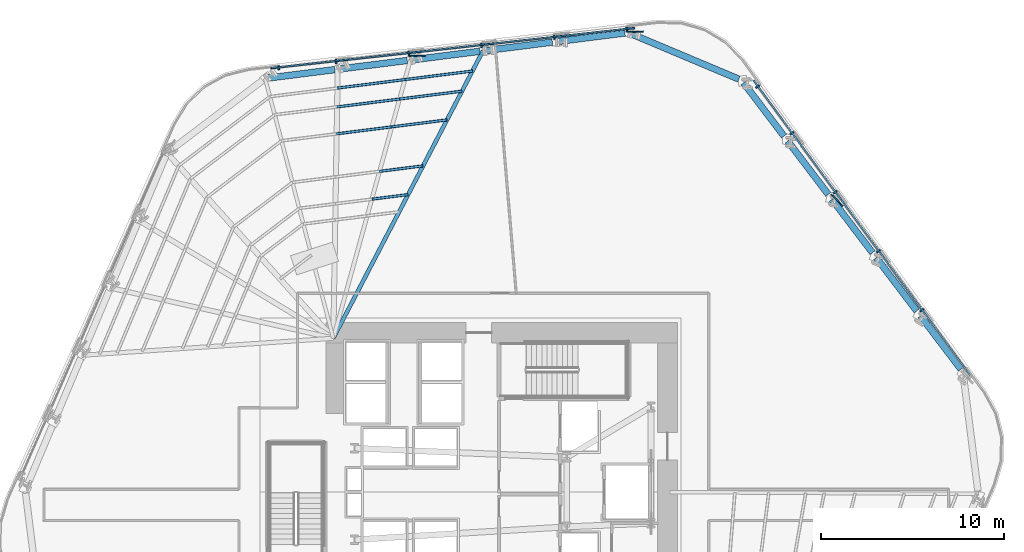
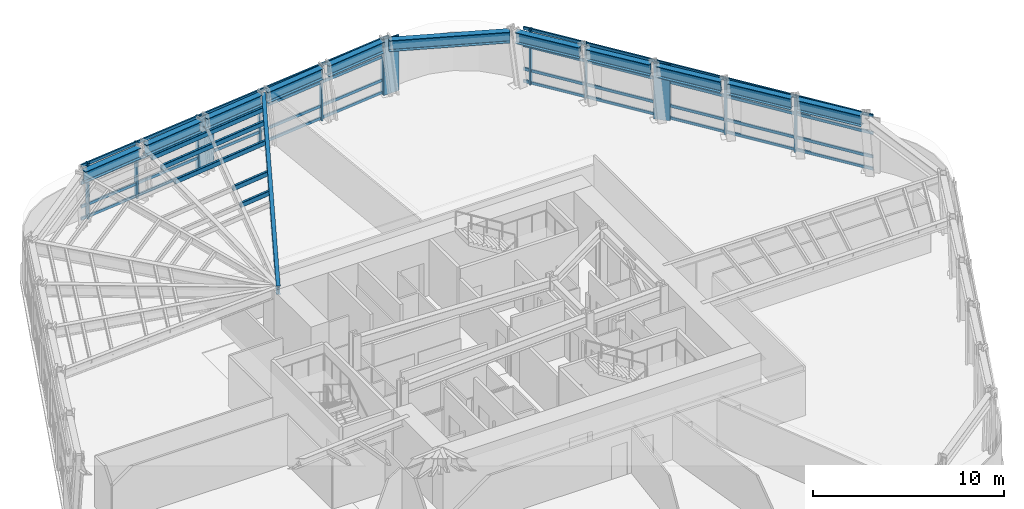
# One storey, part 6 of 16: 30 members, 12 beams, 2 elements without a shape of their own.
"""IFC4 building model written with IfcOpenShell, lengths in metres."""

import ifcopenshell
import ifcopenshell.guid

model = None  # the IFC model being written
_history = None  # IfcOwnerHistory: only IFC2X3 demands one
_inside = {}  # id of a spatial element -> (the spatial element, [elements in it])
_under = {}  # id of a project, library or spatial element -> (it, [spatial elements below it])
_declared = {}  # id of a project -> (the project, [libraries it declares])
_typed = {}  # id of a type object -> (the type object, [elements of that type])
_made_of = {}  # id of a material, layer set ... -> (it, [elements and type objects made of it])


def new_model(schema):
    """Start an empty IFC model of exactly this schema.

    Asked for "IFC4X3", IfcOpenShell would pick the latest addendum, in which some entities
    have other attributes; the version numbers below select the first issue.
    IFC2X3 requires an IfcOwnerHistory on every rooted entity: one is made here for all.
    """
    global model, _history
    if schema == "IFC4X3":
        model = ifcopenshell.file(schema_version=(4, 3, 0, 0))
    else:
        model = ifcopenshell.file(schema=schema)
    _inside.clear()
    _under.clear()
    _declared.clear()
    _typed.clear()
    _made_of.clear()
    _history = None
    if model.schema == "IFC2X3":
        org = make("IfcOrganization", Name="unknown")
        user = make(
            "IfcPersonAndOrganization",
            ThePerson=make("IfcPerson", FamilyName="unknown"),
            TheOrganization=org,
        )
        app = make(
            "IfcApplication",
            ApplicationDeveloper=org,
            Version="unknown",
            ApplicationFullName="unknown",
            ApplicationIdentifier="unknown",
        )
        _history = make(
            "IfcOwnerHistory",
            OwningUser=user,
            OwningApplication=app,
            ChangeAction="ADDED",
            CreationDate=0,
        )
    return model


def make(cls, **values):
    """One entity of the class cls with the attributes given. An attribute that is None is left unset."""
    return model.create_entity(
        cls, **{name: value for name, value in values.items() if value is not None}
    )


def rooted(cls, **values):
    """An entity with a GlobalId (a new one), such as an element, a storey or a relation."""
    return make(cls, GlobalId=ifcopenshell.guid.new(), OwnerHistory=_history, **values)


def si_unit(unit_type, name, prefix=None):
    """IfcSIUnit, for example si_unit("LENGTHUNIT", "METRE", prefix="MILLI")."""
    return make("IfcSIUnit", UnitType=unit_type, Prefix=prefix, Name=name)


def assignment(units):
    """IfcUnitAssignment: the units of a project."""
    return None if units is None else make("IfcUnitAssignment", Units=units)


def point(xyz):
    """IfcCartesianPoint."""
    return None if xyz is None else make("IfcCartesianPoint", Coordinates=xyz)


def direction(xyz):
    """IfcDirection."""
    return None if xyz is None else make("IfcDirection", DirectionRatios=xyz)


def frame(location, z_axis=None, x_axis=None):
    """IfcAxis2Placement3D, a coordinate frame: its origin and axes. An axis left out is left unset."""
    return make(
        "IfcAxis2Placement3D",
        Location=point(location),
        Axis=direction(z_axis),
        RefDirection=direction(x_axis),
    )


def frame_2d(location, x_axis=None):
    """IfcAxis2Placement2D, a coordinate frame in the plane: its origin and x axis."""
    return make(
        "IfcAxis2Placement2D", Location=point(location), RefDirection=direction(x_axis)
    )


def origin():
    """The frame at (0, 0, 0) with its axes left unset."""
    return frame((0.0, 0.0, 0.0))


def origin_2d():
    """The frame at (0, 0) in the plane with its x axis left unset."""
    return frame_2d((0.0, 0.0))


def place(relative_to, where):
    """IfcLocalPlacement: puts the frame where relative to a parent placement (None: the world)."""
    return make(
        "IfcLocalPlacement", PlacementRelTo=relative_to, RelativePlacement=where
    )


def context(
    kind, dimensions, precision=None, world=None, true_north=None, identifier=None
):
    """IfcGeometricRepresentationContext, for example the 3D "Model" context."""
    return make(
        "IfcGeometricRepresentationContext",
        ContextIdentifier=identifier,
        ContextType=kind,
        CoordinateSpaceDimension=dimensions,
        Precision=precision,
        WorldCoordinateSystem=world,
        TrueNorth=true_north,
    )


def subcontext(parent, identifier, kind, view, scale=None):
    """IfcGeometricRepresentationSubContext, for example "Body" below "Model"."""
    return make(
        "IfcGeometricRepresentationSubContext",
        ContextIdentifier=identifier,
        ContextType=kind,
        ParentContext=parent,
        TargetScale=scale,
        TargetView=view,
    )


def project(units=None, contexts=None):
    """IfcProject with its units and contexts."""
    return rooted(
        "IfcProject",
        Name="project",
        RepresentationContexts=contexts,
        UnitsInContext=assignment(units),
    )


def spatial(cls, under=None, at=None, **own):
    """A site, building, storey or space (cls), placed at a placement, below another one or the project."""
    s = rooted(cls, ObjectPlacement=at, **own)
    if under is not None:
        _under.setdefault(under.id(), (under, []))[1].append(s)
    return s


def profile(cls, at=None, kind="AREA", **sizes):
    """A parametric profile (cls). Its sizes go by their IFC names, for example OverallWidth=200.0."""
    return make(cls, ProfileType=kind, Position=at, **sizes)


def rectangle(**sizes):
    """IfcRectangleProfileDef."""
    return profile("IfcRectangleProfileDef", **sizes)


def hollow_rectangle(**sizes):
    """IfcRectangleHollowProfileDef."""
    return profile("IfcRectangleHollowProfileDef", **sizes)


def i_section(**sizes):
    """IfcIShapeProfileDef."""
    return profile("IfcIShapeProfileDef", **sizes)


def extrude(swept, where, along, depth):
    """IfcExtrudedAreaSolid: the profile swept, set in the frame where, extruded along a direction by depth."""
    return make(
        "IfcExtrudedAreaSolid",
        SweptArea=swept,
        Position=where,
        ExtrudedDirection=direction(along),
        Depth=depth,
    )


def shape(context_of_items, identifier, shape_type, items):
    """IfcShapeRepresentation: the items that make up one representation, for example the "Body"."""
    return make(
        "IfcShapeRepresentation",
        ContextOfItems=context_of_items,
        RepresentationIdentifier=identifier,
        RepresentationType=shape_type,
        Items=items,
    )


def material(Name=None, Category=None):
    """IfcMaterial."""
    return make("IfcMaterial", Name=Name, Category=Category)


def layer(
    of_material, thickness, ventilated=None, Name=None, Category=None, Priority=None
):
    """IfcMaterialLayer: one layer of a wall or slab, of a material (None: an air gap)."""
    return make(
        "IfcMaterialLayer",
        Material=of_material,
        LayerThickness=thickness,
        IsVentilated=ventilated,
        Name=Name,
        Category=Category,
        Priority=Priority,
    )


def layer_set(layers, Name=None):
    """IfcMaterialLayerSet."""
    return make("IfcMaterialLayerSet", MaterialLayers=layers, LayerSetName=Name)


def material_profile(
    of_material, cross_section, Name=None, Category=None, Priority=None
):
    """IfcMaterialProfile: a cross section and its material."""
    return make(
        "IfcMaterialProfile",
        Name=Name,
        Material=of_material,
        Profile=cross_section,
        Priority=Priority,
        Category=Category,
    )


def profile_set(profiles, Name=None, composite=None):
    """IfcMaterialProfileSet."""
    return make(
        "IfcMaterialProfileSet",
        Name=Name,
        MaterialProfiles=profiles,
        CompositeProfile=composite,
    )


def made_of(thing, what):
    """Note that an element or type object is made of a material, layer set ...; save() writes the relation."""
    if what is not None:
        _made_of.setdefault(what.id(), (what, []))[1].append(thing)
    return thing


def type_object(cls, material=None, **own):
    """A type object (cls), such as IfcWallType, which elements share."""
    return made_of(rooted(cls, **own), material)


def element(
    cls,
    number,
    at=None,
    inside=None,
    cuts=None,
    type_object=None,
    material=None,
    context=None,
    identifier="Body",
    shape_type=None,
    held_by="IfcProductDefinitionShape",
    body=None,
    shapes=None,
    **own,
):
    """One element of the class cls, such as IfcWall. Its Tag is "e" and its number.

    at: its placement. inside: the storey or other place that contains it. cuts: it is an
    opening in that element (IfcRelVoidsElement). A single representation is given by context,
    identifier, shape_type and body (its items); several are given by shapes. held_by: the class
    of the entity that holds the representations. save() writes the other relations.
    """
    e = rooted(cls, Tag="e%d" % number, ObjectPlacement=at, **own)
    if body is not None:
        shapes = [shape(context, identifier, shape_type, body)]
    if shapes is not None:
        e.Representation = make(held_by, Representations=shapes)
    if inside is not None:
        _inside.setdefault(inside.id(), (inside, []))[1].append(e)
    if cuts is not None:
        rooted(
            "IfcRelVoidsElement", RelatingBuildingElement=cuts, RelatedOpeningElement=e
        )
    if type_object is not None:
        _typed.setdefault(type_object.id(), (type_object, []))[1].append(e)
    return made_of(e, material)


def aggregate(whole, parts):
    """IfcRelAggregates: a whole, such as a stair, and the parts it consists of."""
    return rooted("IfcRelAggregates", RelatingObject=whole, RelatedObjects=parts)


def save(model, path):
    """Write the relations noted so far, then the file.

    IfcRelAggregates (storeys below a building ...), IfcRelContainedInSpatialStructure (elements
    in a storey), IfcRelDefinesByType, IfcRelAssociatesMaterial and IfcRelDeclares: one each for
    every whole, place, type object, material and project.
    """
    for whole, parts in _under.values():
        aggregate(whole, parts)
    for where, things in _inside.values():
        rooted(
            "IfcRelContainedInSpatialStructure",
            RelatedElements=things,
            RelatingStructure=where,
        )
    for kind, things in _typed.values():
        rooted("IfcRelDefinesByType", RelatedObjects=things, RelatingType=kind)
    for what, things in _made_of.values():
        rooted("IfcRelAssociatesMaterial", RelatedObjects=things, RelatingMaterial=what)
    for by, libraries in _declared.values():
        rooted("IfcRelDeclares", RelatingContext=by, RelatedDefinitions=libraries)
    model.write(path)


model = new_model("IFC4")

# Units and contexts
model_context = context("Model", 3, precision=1e-05, world=origin(), true_north=direction((0.0, 1.0)))
body_context = subcontext(model_context, "Body", "Model", "MODEL_VIEW")
ifc_project = project(units=[si_unit("LENGTHUNIT", "METRE"), si_unit("AREAUNIT", "SQUARE_METRE"), si_unit("VOLUMEUNIT", "CUBIC_METRE"), si_unit("PLANEANGLEUNIT", "RADIAN"), si_unit("MASSUNIT", "GRAM", prefix="KILO")], contexts=[model_context])

# Site, building, storey
site_placement = place(None, origin())
site = spatial("IfcSite", under=ifc_project, at=site_placement, CompositionType="ELEMENT")
building_placement = place(site_placement, origin())
building = spatial("IfcBuilding", under=site, at=building_placement, Name="Valkerne Bourse Tower", CompositionType="ELEMENT")
storey_placement = place(building_placement, frame((0.0, 0.0, 50.60009765625)))
storey = spatial("IfcBuildingStorey", under=building, at=storey_placement, Name="L12", CompositionType="ELEMENT", Elevation=50.60009765625)

# Beams
ifc_material_1 = material(Name="Steel ASTM A992", Category="steel")
ifc_material_profile_1 = material_profile(ifc_material_1, i_section(OverallWidth=0.2138671875, OverallDepth=0.548583984375, WebThickness=0.0146484375, FlangeThickness=0.023681640625, FilletRadius=0.017822265625, at=origin_2d()), Name="W21X93")
ifc_profile_set_1 = profile_set([ifc_material_profile_1], Name="Steel ASTM A992")
beam_type_1 = type_object("IfcBeamType", Name="BM-W21X93", PredefinedType="BEAM", material=ifc_profile_set_1)
beam_1_placement = place(storey_placement, frame((45.770263671875, 51.093017578125, 3.3056640625), z_axis=(-0.461786292508, -0.886991217573, 0.0), x_axis=(0.886991217573, -0.461786292508, 0.0)))
element("IfcBeam", 1, at=beam_1_placement, inside=storey, type_object=beam_type_1, Name="L12 Radial Composite Floor Beam 08", PredefinedType="BEAM", context=body_context, shape_type="SweptSolid", body=[
    extrude(i_section(OverallWidth=0.2138671875, OverallDepth=0.548583984375, WebThickness=0.0146484375, FlangeThickness=0.023681640625, FilletRadius=0.017822265625, at=origin_2d()), origin(), (0.0, 0.0, 1.0), 17.692626953125),
])
ifc_material_profile_2 = material_profile(ifc_material_1, i_section(OverallWidth=0.358154296875, OverallDepth=0.7060546875, WebThickness=0.018310546875, FlangeThickness=0.0302734375, FilletRadius=0.02294921875, at=origin_2d()), Name="W27X178")
ifc_profile_set_2 = profile_set([ifc_material_profile_2], Name="Steel ASTM A992")
beam_type_2 = type_object("IfcBeamType", Name="BM-W27X178", PredefinedType="SPANDREL", material=ifc_profile_set_2)
for number, where, z_axis, x_axis, name in (
    (2, (71.87939453125, 33.7080078125, 3.226806640625), (-0.604563321247, 0.796557085589, 0.0), (-0.796557085589, -0.604563321247, 0.0), "L12 Hexagonal Spandrel Ring Beam 00"),
    (3, (69.46337890625, 36.890869140625, 3.226806640625), (-0.604563321247, 0.796557085589, 0.0), (-0.796557085589, -0.604563321247, 0.0), "L12 Hexagonal Spandrel Ring Beam 01"),
):
    element("IfcBeam", number, at=place(storey_placement, frame(where, z_axis=z_axis, x_axis=x_axis)), inside=storey, type_object=beam_type_2, Name=name, PredefinedType="SPANDREL", context=body_context, shape_type="SweptSolid", body=[
        extrude(i_section(OverallWidth=0.358154296875, OverallDepth=0.7060546875, WebThickness=0.018310546875, FlangeThickness=0.0302734375, FilletRadius=0.02294921875, at=origin_2d()), origin(), (0.0, 0.0, 1.0), 3.65576171875),
    ])
beam_2_placement = place(storey_placement, frame((67.047607421875, 40.07373046875, 3.226806640625), z_axis=(-0.604605691084, 0.796524926358, 0.0), x_axis=(-0.796524926358, -0.604605691084, 0.0)))
element("IfcBeam", 4, at=beam_2_placement, inside=storey, type_object=beam_type_2, Name="L12 Hexagonal Spandrel Ring Beam 02", PredefinedType="SPANDREL", context=body_context, shape_type="SweptSolid", body=[
    extrude(i_section(OverallWidth=0.358154296875, OverallDepth=0.7060546875, WebThickness=0.018310546875, FlangeThickness=0.0302734375, FilletRadius=0.02294921875, at=origin_2d()), origin(), (0.0, 0.0, 1.0), 3.656005859375),
])
beam_3_placement = place(storey_placement, frame((64.631591796875, 43.256591796875, 3.226806640625), z_axis=(-0.604573533242, 0.796549334884, 0.0), x_axis=(-0.796549334884, -0.604573533242, 0.0)))
element("IfcBeam", 5, at=beam_3_placement, inside=storey, type_object=beam_type_2, Name="L12 Hexagonal Spandrel Ring Beam 03", PredefinedType="SPANDREL", context=body_context, shape_type="SweptSolid", body=[
    extrude(i_section(OverallWidth=0.358154296875, OverallDepth=0.7060546875, WebThickness=0.018310546875, FlangeThickness=0.0302734375, FilletRadius=0.02294921875, at=origin_2d()), origin(), (0.0, 0.0, 1.0), 3.65625),
])
beam_4_placement = place(storey_placement, frame((62.215576171875, 46.439697265625, 3.226806640625), z_axis=(-0.604605691084, 0.796524926358, 0.0), x_axis=(-0.796524926358, -0.604605691084, 0.0)))
element("IfcBeam", 6, at=beam_4_placement, inside=storey, type_object=beam_type_2, Name="L12 Hexagonal Spandrel Ring Beam 04", PredefinedType="SPANDREL", context=body_context, shape_type="SweptSolid", body=[
    extrude(i_section(OverallWidth=0.358154296875, OverallDepth=0.7060546875, WebThickness=0.018310546875, FlangeThickness=0.0302734375, FilletRadius=0.02294921875, at=origin_2d()), origin(), (0.0, 0.0, 1.0), 3.656005859375),
])
beam_5_placement = place(storey_placement, frame((59.74560546875, 49.552978515625, 3.226806640625), z_axis=(-0.921860364456, 0.387522216712, 0.0), x_axis=(-0.387522216712, -0.921860364456, 0.0)))
element("IfcBeam", 7, at=beam_5_placement, inside=storey, type_object=beam_type_2, Name="L12 Hexagonal Spandrel Ring Beam 05", PredefinedType="SPANDREL", context=body_context, shape_type="SweptSolid", body=[
    extrude(i_section(OverallWidth=0.358154296875, OverallDepth=0.7060546875, WebThickness=0.018310546875, FlangeThickness=0.0302734375, FilletRadius=0.02294921875, at=origin_2d()), origin(), (0.0, 0.0, 1.0), 6.388916015625),
])
beam_6_placement = place(storey_placement, frame((53.530517578125, 52.073486328125, 3.226806640625), z_axis=(-0.992113668129, -0.125341411798, 0.0), x_axis=(0.125341411798, -0.992113668129, 0.0)))
element("IfcBeam", 8, at=beam_6_placement, inside=storey, type_object=beam_type_2, Name="L12 Hexagonal Spandrel Ring Beam 06", PredefinedType="SPANDREL", context=body_context, shape_type="SweptSolid", body=[
    extrude(i_section(OverallWidth=0.358154296875, OverallDepth=0.7060546875, WebThickness=0.018310546875, FlangeThickness=0.0302734375, FilletRadius=0.02294921875, at=origin_2d()), origin(), (0.0, 0.0, 1.0), 3.656005859375),
])
beam_7_placement = place(storey_placement, frame((49.56591796875, 51.57275390625, 3.226806640625), z_axis=(-0.992112618919, -0.125349716324, 0.0), x_axis=(0.125349716324, -0.992112618919, 0.0)))
element("IfcBeam", 9, at=beam_7_placement, inside=storey, type_object=beam_type_2, Name="L12 Hexagonal Spandrel Ring Beam 07", PredefinedType="SPANDREL", context=body_context, shape_type="SweptSolid", body=[
    extrude(i_section(OverallWidth=0.358154296875, OverallDepth=0.7060546875, WebThickness=0.018310546875, FlangeThickness=0.0302734375, FilletRadius=0.02294921875, at=origin_2d()), origin(), (0.0, 0.0, 1.0), 3.65576171875),
])
beam_8_placement = place(storey_placement, frame((45.6015625, 51.07177734375, 3.226806640625), z_axis=(-0.992113668129, -0.125341411798, 0.0), x_axis=(0.125341411798, -0.992113668129, 0.0)))
element("IfcBeam", 10, at=beam_8_placement, inside=storey, type_object=beam_type_2, Name="L12 Hexagonal Spandrel Ring Beam 08", PredefinedType="SPANDREL", context=body_context, shape_type="SweptSolid", body=[
    extrude(i_section(OverallWidth=0.358154296875, OverallDepth=0.7060546875, WebThickness=0.018310546875, FlangeThickness=0.0302734375, FilletRadius=0.02294921875, at=origin_2d()), origin(), (0.0, 0.0, 1.0), 3.656005859375),
])
beam_9_placement = place(storey_placement, frame((41.636962890625, 50.571044921875, 3.226806640625), z_axis=(-0.992112618919, -0.125349716324, 0.0), x_axis=(0.125349716324, -0.992112618919, 0.0)))
element("IfcBeam", 11, at=beam_9_placement, inside=storey, type_object=beam_type_2, Name="L12 Hexagonal Spandrel Ring Beam 09", PredefinedType="SPANDREL", context=body_context, shape_type="SweptSolid", body=[
    extrude(i_section(OverallWidth=0.358154296875, OverallDepth=0.7060546875, WebThickness=0.018310546875, FlangeThickness=0.0302734375, FilletRadius=0.02294921875, at=origin_2d()), origin(), (0.0, 0.0, 1.0), 3.65576171875),
])
beam_10_placement = place(storey_placement, frame((37.672607421875, 50.0703125, 3.226806640625), z_axis=(-0.992105362041, -0.12540713939, 0.0), x_axis=(0.12540713939, -0.992105362041, 0.0)))
element("IfcBeam", 12, at=beam_10_placement, inside=storey, type_object=beam_type_2, Name="L12 Hexagonal Spandrel Ring Beam 10", PredefinedType="SPANDREL", context=body_context, shape_type="SweptSolid", body=[
    extrude(i_section(OverallWidth=0.358154296875, OverallDepth=0.7060546875, WebThickness=0.018310546875, FlangeThickness=0.0302734375, FilletRadius=0.02294921875, at=origin_2d()), origin(), (0.0, 0.0, 1.0), 3.656005859375),
])

# Curtain wall, members
ifc_material_2 = material(Name="Aluminium AA 6063-T6", Category="aluminium")
ifc_layer = layer(ifc_material_2, 0.22509765625)
ifc_layer_set = layer_set([ifc_layer], Name="Aluminium AA 6063-T6")
curtain_wall_type = type_object("IfcCurtainWallType", Name="CW-01", PredefinedType="NOTDEFINED", material=ifc_layer_set)
curtain_wall_1_placement = place(storey_placement, origin())
curtain_wall_1 = element("IfcCurtainWall", 13, at=curtain_wall_1_placement, inside=storey, type_object=curtain_wall_type, Name="L12 Hexagonal Stick Curtain Wall Face 1", PredefinedType="NOTDEFINED")
ifc_material_profile_3 = material_profile(ifc_material_2, rectangle(XDim=0.090087890625, YDim=0.239990234375, at=origin_2d()), Name="CWM-90X240")
ifc_profile_set_3 = profile_set([ifc_material_profile_3], Name="Aluminium AA 6063-T6")
member_type_1 = type_object("IfcMemberType", Name="CW-MUL-240X90", PredefinedType="MULLION", material=ifc_profile_set_3)
member_1_placement = place(storey_placement, frame((69.7421875, 36.936279296875, 0.0), z_axis=(0.0, 0.0, 1.0), x_axis=(-0.592014408049, 0.805927379273, 0.0)))
member_1 = element("IfcMember", 14, at=member_1_placement, type_object=member_type_1, Name="CW-L12-F1 Jamb Mullion 01A", PredefinedType="MULLION", context=body_context, shape_type="SweptSolid", body=[
    extrude(rectangle(XDim=0.090087890625, YDim=0.239990234375, at=origin_2d()), origin(), (0.0, 0.0, 1.0), 3.579833984375),
])
member_2_placement = place(storey_placement, frame((67.37646484375, 40.156982421875, 0.0), z_axis=(0.0, 0.0, 1.0), x_axis=(-0.592014408049, 0.805927379273, 0.0)))
member_2 = element("IfcMember", 15, at=member_2_placement, type_object=member_type_1, Name="CW-L12-F1 Jamb Mullion 02A", PredefinedType="MULLION", context=body_context, shape_type="SweptSolid", body=[
    extrude(rectangle(XDim=0.090087890625, YDim=0.239990234375, at=origin_2d()), origin(), (0.0, 0.0, 1.0), 3.579833984375),
])
member_3_placement = place(storey_placement, frame((65.0107421875, 43.37744140625, 0.0), z_axis=(0.0, 0.0, 1.0), x_axis=(-0.592014408049, 0.805927379273, 0.0)))
member_3 = element("IfcMember", 16, at=member_3_placement, type_object=member_type_1, Name="CW-L12-F1 Jamb Mullion 03A", PredefinedType="MULLION", context=body_context, shape_type="SweptSolid", body=[
    extrude(rectangle(XDim=0.090087890625, YDim=0.239990234375, at=origin_2d()), origin(), (0.0, 0.0, 1.0), 3.579833984375),
])
member_4_placement = place(storey_placement, frame((62.64501953125, 46.597900390625, 0.0), z_axis=(0.0, 0.0, 1.0), x_axis=(-0.592014408049, 0.805927379273, 0.0)))
member_4 = element("IfcMember", 17, at=member_4_placement, type_object=member_type_1, Name="CW-L12-F1 Jamb Mullion 04A", PredefinedType="MULLION", context=body_context, shape_type="SweptSolid", body=[
    extrude(rectangle(XDim=0.090087890625, YDim=0.239990234375, at=origin_2d()), origin(), (0.0, 0.0, 1.0), 3.579833984375),
])
member_5_placement = place(storey_placement, frame((60.776611328125, 49.141357421875, 0.0), z_axis=(0.0, 0.0, 1.0), x_axis=(-0.592014408049, 0.805927379273, 0.0)))
member_5 = element("IfcMember", 18, at=member_5_placement, type_object=member_type_1, Name="CW-L12-F1 Jamb Mullion 04B", PredefinedType="MULLION", context=body_context, shape_type="SweptSolid", body=[
    extrude(rectangle(XDim=0.090087890625, YDim=0.239990234375, at=origin_2d()), origin(), (0.0, 0.0, 1.0), 3.579833984375),
])

curtain_wall_2_placement = place(storey_placement, origin())
curtain_wall_2 = element("IfcCurtainWall", 19, at=curtain_wall_2_placement, inside=storey, type_object=curtain_wall_type, Name="L12 Hexagonal Stick Curtain Wall Face 2", PredefinedType="NOTDEFINED")
member_6_placement = place(storey_placement, frame((53.6376953125, 52.275146484375, 0.0), z_axis=(0.0, 0.0, 1.0), x_axis=(-0.993961005743, -0.109733855587, 0.0)))
member_6 = element("IfcMember", 20, at=member_6_placement, type_object=member_type_1, Name="CW-L12-F2 Jamb Mullion 00A", PredefinedType="MULLION", context=body_context, shape_type="SweptSolid", body=[
    extrude(rectangle(XDim=0.090087890625, YDim=0.239990234375, at=origin_2d()), origin(), (0.0, 0.0, 1.0), 3.579833984375),
])
member_7_placement = place(storey_placement, frame((49.665771484375, 51.836669921875, 0.0), z_axis=(0.0, 0.0, 1.0), x_axis=(-0.993960704395, -0.109736585139, 0.0)))
member_7 = element("IfcMember", 21, at=member_7_placement, type_object=member_type_1, Name="CW-L12-F2 Jamb Mullion 01A", PredefinedType="MULLION", context=body_context, shape_type="SweptSolid", body=[
    extrude(rectangle(XDim=0.090087890625, YDim=0.239990234375, at=origin_2d()), origin(), (0.0, 0.0, 1.0), 3.579833984375),
])
member_8_placement = place(storey_placement, frame((45.694091796875, 51.398193359375, 0.0), z_axis=(0.0, 0.0, 1.0), x_axis=(-0.993961005743, -0.109733855587, 0.0)))
member_8 = element("IfcMember", 22, at=member_8_placement, type_object=member_type_1, Name="CW-L12-F2 Jamb Mullion 02A", PredefinedType="MULLION", context=body_context, shape_type="SweptSolid", body=[
    extrude(rectangle(XDim=0.090087890625, YDim=0.239990234375, at=origin_2d()), origin(), (0.0, 0.0, 1.0), 3.579833984375),
])
member_9_placement = place(storey_placement, frame((41.72216796875, 50.959716796875, 0.0), z_axis=(0.0, 0.0, 1.0), x_axis=(-0.993961005743, -0.109733855587, 0.0)))
member_9 = element("IfcMember", 23, at=member_9_placement, type_object=member_type_1, Name="CW-L12-F2 Jamb Mullion 03A", PredefinedType="MULLION", context=body_context, shape_type="SweptSolid", body=[
    extrude(rectangle(XDim=0.090087890625, YDim=0.239990234375, at=origin_2d()), origin(), (0.0, 0.0, 1.0), 3.579833984375),
])
member_10_placement = place(storey_placement, frame((37.750244140625, 50.521240234375, 0.0), z_axis=(0.0, 0.0, 1.0), x_axis=(-0.993960704395, -0.109736585139, 0.0)))
member_10 = element("IfcMember", 24, at=member_10_placement, type_object=member_type_1, Name="CW-L12-F2 Jamb Mullion 04A", PredefinedType="MULLION", context=body_context, shape_type="SweptSolid", body=[
    extrude(rectangle(XDim=0.090087890625, YDim=0.239990234375, at=origin_2d()), origin(), (0.0, 0.0, 1.0), 3.579833984375),
])
member_11_placement = place(storey_placement, frame((34.61328125, 50.1748046875, 0.0), z_axis=(0.0, 0.0, 1.0), x_axis=(-0.993960704395, -0.109736585139, 0.0)))
member_11 = element("IfcMember", 25, at=member_11_placement, type_object=member_type_1, Name="CW-L12-F2 Jamb Mullion 04B", PredefinedType="MULLION", context=body_context, shape_type="SweptSolid", body=[
    extrude(rectangle(XDim=0.090087890625, YDim=0.239990234375, at=origin_2d()), origin(), (0.0, 0.0, 1.0), 3.579833984375),
])

# Member
ifc_material_profile_4 = material_profile(ifc_material_2, rectangle(XDim=0.090087890625, YDim=0.179931640625, at=origin_2d()), Name="CWT-90X180")
ifc_profile_set_4 = profile_set([ifc_material_profile_4], Name="Aluminium AA 6063-T6")
member_type_2 = type_object("IfcMemberType", Name="CW-TRN-180X90", PredefinedType="USERDEFINED", material=ifc_profile_set_4)
member_12_placement = place(storey_placement, frame((72.37255859375, 33.389404296875, 0.119873046875), z_axis=(-0.59201505127, 0.805926906779, 0.0), x_axis=(-0.805926906779, -0.59201505127, 0.0)))
member_12 = element("IfcMember", 26, at=member_12_placement, type_object=member_type_2, Name="CW-L12-F1 Continuous Face Transom 1", ObjectType="TRANSOM", PredefinedType="USERDEFINED", context=body_context, shape_type="SweptSolid", body=[
    extrude(rectangle(XDim=0.090087890625, YDim=0.179931640625, at=origin_2d()), origin(), (0.0, 0.0, 1.0), 19.979736328125),
])

member_13_placement = place(storey_placement, frame((72.37255859375, 33.389404296875, 0.89990234375), z_axis=(-0.59201505127, 0.805926906779, 0.0), x_axis=(-0.805926906779, -0.59201505127, 0.0)))
member_13 = element("IfcMember", 27, at=member_13_placement, type_object=member_type_2, Name="CW-L12-F1 Continuous Face Transom 2", ObjectType="TRANSOM", PredefinedType="USERDEFINED", context=body_context, shape_type="SweptSolid", body=[
    extrude(rectangle(XDim=0.090087890625, YDim=0.179931640625, at=origin_2d()), origin(), (0.0, 0.0, 1.0), 19.979736328125),
])

member_14_placement = place(storey_placement, frame((72.37255859375, 33.389404296875, 2.39990234375), z_axis=(-0.59201505127, 0.805926906779, 0.0), x_axis=(-0.805926906779, -0.59201505127, 0.0)))
member_14 = element("IfcMember", 28, at=member_14_placement, type_object=member_type_2, Name="CW-L12-F1 Continuous Face Transom 3", ObjectType="TRANSOM", PredefinedType="USERDEFINED", context=body_context, shape_type="SweptSolid", body=[
    extrude(rectangle(XDim=0.090087890625, YDim=0.179931640625, at=origin_2d()), origin(), (0.0, 0.0, 1.0), 19.979736328125),
])

member_15_placement = place(storey_placement, frame((72.37255859375, 33.389404296875, 3.5), z_axis=(-0.59201505127, 0.805926906779, 0.0), x_axis=(-0.805926906779, -0.59201505127, 0.0)))
member_15 = element("IfcMember", 29, at=member_15_placement, type_object=member_type_2, Name="CW-L12-F1 Continuous Face Transom 4", ObjectType="TRANSOM", PredefinedType="USERDEFINED", context=body_context, shape_type="SweptSolid", body=[
    extrude(rectangle(XDim=0.090087890625, YDim=0.179931640625, at=origin_2d()), origin(), (0.0, 0.0, 1.0), 19.979736328125),
])

aggregate(curtain_wall_1, [member_12, member_13, member_14, member_15, member_1, member_2, member_3, member_4, member_5])

member_16_placement = place(storey_placement, frame((54.052978515625, 52.341064453125, 0.119873046875), z_axis=(-0.993961570123, -0.109728743358, 0.0), x_axis=(0.109728743358, -0.993961570123, 0.0)))
member_16 = element("IfcMember", 30, at=member_16_placement, type_object=member_type_2, Name="CW-L12-F2 Continuous Face Transom 1", ObjectType="TRANSOM", PredefinedType="USERDEFINED", context=body_context, shape_type="SweptSolid", body=[
    extrude(rectangle(XDim=0.090087890625, YDim=0.179931640625, at=origin_2d()), origin(), (0.0, 0.0, 1.0), 19.97998046875),
])

member_17_placement = place(storey_placement, frame((54.052978515625, 52.341064453125, 0.89990234375), z_axis=(-0.993961570123, -0.109728743358, 0.0), x_axis=(0.109728743358, -0.993961570123, 0.0)))
member_17 = element("IfcMember", 31, at=member_17_placement, type_object=member_type_2, Name="CW-L12-F2 Continuous Face Transom 2", ObjectType="TRANSOM", PredefinedType="USERDEFINED", context=body_context, shape_type="SweptSolid", body=[
    extrude(rectangle(XDim=0.090087890625, YDim=0.179931640625, at=origin_2d()), origin(), (0.0, 0.0, 1.0), 19.97998046875),
])

member_18_placement = place(storey_placement, frame((54.052978515625, 52.341064453125, 2.39990234375), z_axis=(-0.993961570123, -0.109728743358, 0.0), x_axis=(0.109728743358, -0.993961570123, 0.0)))
member_18 = element("IfcMember", 32, at=member_18_placement, type_object=member_type_2, Name="CW-L12-F2 Continuous Face Transom 3", ObjectType="TRANSOM", PredefinedType="USERDEFINED", context=body_context, shape_type="SweptSolid", body=[
    extrude(rectangle(XDim=0.090087890625, YDim=0.179931640625, at=origin_2d()), origin(), (0.0, 0.0, 1.0), 19.97998046875),
])

member_19_placement = place(storey_placement, frame((54.052978515625, 52.341064453125, 3.5), z_axis=(-0.993961570123, -0.109728743358, 0.0), x_axis=(0.109728743358, -0.993961570123, 0.0)))
member_19 = element("IfcMember", 33, at=member_19_placement, type_object=member_type_2, Name="CW-L12-F2 Continuous Face Transom 4", ObjectType="TRANSOM", PredefinedType="USERDEFINED", context=body_context, shape_type="SweptSolid", body=[
    extrude(rectangle(XDim=0.090087890625, YDim=0.179931640625, at=origin_2d()), origin(), (0.0, 0.0, 1.0), 19.97998046875),
])

aggregate(curtain_wall_2, [member_16, member_17, member_18, member_19, member_6, member_7, member_8, member_9, member_10, member_11])

# Members
ifc_material_3 = material(Name="Bronze Anodised Aluminium AA 6063-T6", Category="aluminium")
ifc_material_profile_5 = material_profile(ifc_material_3, rectangle(XDim=0.070068359375, YDim=0.89990234375, at=origin_2d()), Name="FIN-70X900")
ifc_profile_set_5 = profile_set([ifc_material_profile_5], Name="Bronze Anodised Aluminium AA 6063-T6")
member_type_3 = type_object("IfcMemberType", Name="FIN-SOLAR-900", PredefinedType="USERDEFINED", material=ifc_profile_set_5)
for number, where, z_axis, x_axis, name in (
    (34, (65.1142578125, 42.932373046875, 0.00390625), (0.0, 0.0, 1.0), (0.713621662485, 0.700531314669, 0.0), "L12 Bronze Anodised Solar Fin F1-03"),
    (35, (54.074951171875, 52.142333984375, 0.00390625), (0.0, 0.0, 1.0), (-0.009403321403, 0.999955787796, 0.0), "L12 Bronze Anodised Solar Fin F2-00"),
    (36, (42.1591796875, 50.826904296875, 0.00390625), (0.0, 0.0, 1.0), (-0.009403321403, 0.999955787796, 0.0), "L12 Bronze Anodised Solar Fin F2-03"),
):
    element("IfcMember", number, at=place(storey_placement, frame(where, z_axis=z_axis, x_axis=x_axis)), inside=storey, type_object=member_type_3, Name=name, ObjectType="SOLAR_FIN", PredefinedType="USERDEFINED", context=body_context, shape_type="SweptSolid", body=[
        extrude(rectangle(XDim=0.070068359375, YDim=0.89990234375, at=origin_2d()), origin(), (0.0, 0.0, 1.0), 3.572021484375),
    ])
ifc_material_4 = material(Name="Steel ASTM A500 Grade C", Category="steel")
ifc_material_profile_6 = material_profile(ifc_material_4, hollow_rectangle(XDim=0.14990234375, YDim=0.300048828125, WallThickness=0.012451171875, OuterFilletRadius=0.02490234375, at=origin_2d()), Name="HSS300X150X12.5")
ifc_profile_set_6 = profile_set([ifc_material_profile_6], Name="Steel ASTM A500 Grade C")
member_type_4 = type_object("IfcMemberType", Name="MBR-HSS300X150X12.5", PredefinedType="PURLIN", material=ifc_profile_set_6)
member_20_placement = place(storey_placement, frame((41.68505859375, 43.24658203125, 3.419921875), z_axis=(-0.992109659349, -0.125373138378, 0.0), x_axis=(0.125373138378, -0.992109659349, 0.0)))
element("IfcMember", 37, at=member_20_placement, inside=storey, type_object=member_type_4, Name="L12 Secondary Composite Floor Purlin M-08", PredefinedType="PURLIN", context=body_context, shape_type="SweptSolid", body=[
    extrude(hollow_rectangle(XDim=0.14990234375, YDim=0.300048828125, WallThickness=0.012451171875, OuterFilletRadius=0.02490234375, at=origin_2d()), origin(), (0.0, 0.0, 1.0), 1.998046875),
])
member_21_placement = place(storey_placement, frame((43.809326171875, 47.326904296875, 3.419921875), z_axis=(-0.992105010617, -0.125409919501, 0.0), x_axis=(0.125409919501, -0.992105010617, 0.0)))
element("IfcMember", 38, at=member_21_placement, inside=storey, type_object=member_type_4, Name="L12 Secondary Composite Floor Purlin O-08", PredefinedType="PURLIN", context=body_context, shape_type="SweptSolid", body=[
    extrude(hollow_rectangle(XDim=0.14990234375, YDim=0.300048828125, WallThickness=0.012451171875, OuterFilletRadius=0.02490234375, at=origin_2d()), origin(), (0.0, 0.0, 1.0), 3.036865234375),
])
member_22_placement = place(storey_placement, frame((40.79638671875, 46.946044921875, 3.419921875), z_axis=(-0.992116272419, -0.125320796362, 0.0), x_axis=(0.125320796362, -0.992116272419, 0.0)))
element("IfcMember", 39, at=member_22_placement, inside=storey, type_object=member_type_4, Name="L12 Secondary Composite Floor Purlin O-09", PredefinedType="PURLIN", context=body_context, shape_type="SweptSolid", body=[
    extrude(hollow_rectangle(XDim=0.14990234375, YDim=0.300048828125, WallThickness=0.012451171875, OuterFilletRadius=0.02490234375, at=origin_2d()), origin(), (0.0, 0.0, 1.0), 3.037109375),
])
member_23_placement = place(storey_placement, frame((42.502197265625, 44.81591796875, 3.419921875), z_axis=(-0.992114112127, -0.125337897376, 0.0), x_axis=(0.125337897376, -0.992114112127, 0.0)))
element("IfcMember", 40, at=member_23_placement, inside=storey, type_object=member_type_4, Name="L12 Secondary Composite Floor Purlin Z-08", PredefinedType="PURLIN", context=body_context, shape_type="SweptSolid", body=[
    extrude(hollow_rectangle(XDim=0.14990234375, YDim=0.300048828125, WallThickness=0.012451171875, OuterFilletRadius=0.02490234375, at=origin_2d()), origin(), (0.0, 0.0, 1.0), 2.397705078125),
])
member_24_placement = place(storey_placement, frame((44.62646484375, 48.89599609375, 3.419921875), z_axis=(-0.992117493245, -0.125311131182, 0.0), x_axis=(0.125311131182, -0.992117493245, 0.0)))
element("IfcMember", 41, at=member_24_placement, inside=storey, type_object=member_type_4, Name="L12 Secondary Composite Floor Purlin T-08", PredefinedType="PURLIN", context=body_context, shape_type="SweptSolid", body=[
    extrude(hollow_rectangle(XDim=0.14990234375, YDim=0.300048828125, WallThickness=0.012451171875, OuterFilletRadius=0.02490234375, at=origin_2d()), origin(), (0.0, 0.0, 1.0), 3.436767578125),
])
member_25_placement = place(storey_placement, frame((41.216796875, 48.46533203125, 3.419921875), z_axis=(-0.992116377625, -0.125319963489, 0.0), x_axis=(0.125319963489, -0.992116377625, 0.0)))
element("IfcMember", 42, at=member_25_placement, inside=storey, type_object=member_type_4, Name="L12 Secondary Composite Floor Purlin T-09", PredefinedType="PURLIN", context=body_context, shape_type="SweptSolid", body=[
    extrude(hollow_rectangle(XDim=0.14990234375, YDim=0.300048828125, WallThickness=0.012451171875, OuterFilletRadius=0.02490234375, at=origin_2d()), origin(), (0.0, 0.0, 1.0), 3.4365234375),
])
for number, where, z_axis, x_axis, name in (
    (43, (45.1982421875, 49.99462890625, 3.419921875), (-0.992113282123, -0.12534446711, 0.0), (0.12534446711, -0.992113282123, 0.0), "L12 Secondary Composite Floor Purlin U-08"),
    (44, (41.51123046875, 49.52880859375, 3.419921875), (-0.992113282123, -0.12534446711, 0.0), (0.12534446711, -0.992113282123, 0.0), "L12 Secondary Composite Floor Purlin U-09"),
):
    element("IfcMember", number, at=place(storey_placement, frame(where, z_axis=z_axis, x_axis=x_axis)), inside=storey, type_object=member_type_4, Name=name, PredefinedType="PURLIN", context=body_context, shape_type="SweptSolid", body=[
        extrude(hollow_rectangle(XDim=0.14990234375, YDim=0.300048828125, WallThickness=0.012451171875, OuterFilletRadius=0.02490234375, at=origin_2d()), origin(), (0.0, 0.0, 1.0), 3.71630859375),
    ])

save(model, "model.ifc")
